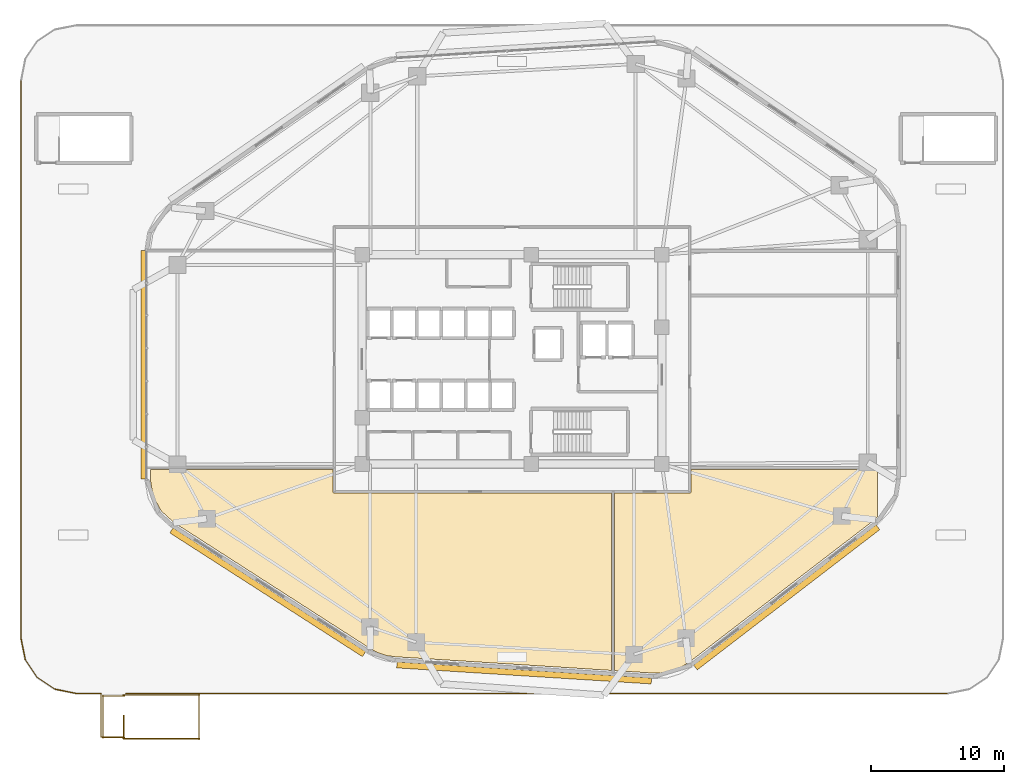
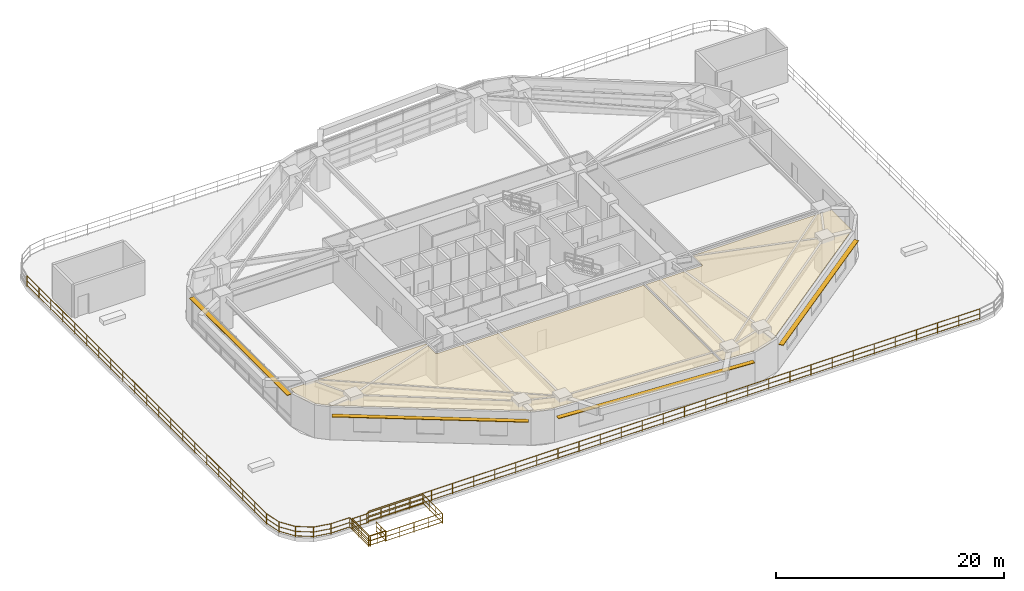
# One storey, part 18 of 20: 16 railings, 4 shading devices, 2 coverings.
"""IFC4 building model written with IfcOpenShell, lengths in metres."""

from ifc_helpers import new_model, si_unit, direction, frame, origin, origin_2d, place, context, subcontext, project, spatial, polyline, rectangle, outline, extrude, material, layer, layer_set, type_object, element, save


model = new_model("IFC4")

# Units and contexts
model_context = context("Model", 3, precision=1e-05, world=origin(), true_north=direction((0.0, 1.0)))
body_context = subcontext(model_context, "Body", "Model", "MODEL_VIEW")
ifc_project = project(units=[si_unit("LENGTHUNIT", "METRE"), si_unit("AREAUNIT", "SQUARE_METRE"), si_unit("VOLUMEUNIT", "CUBIC_METRE"), si_unit("PLANEANGLEUNIT", "RADIAN"), si_unit("MASSUNIT", "GRAM", prefix="KILO")], contexts=[model_context])

# Site, building, storey
site_placement = place(None, origin())
site = spatial("IfcSite", under=ifc_project, at=site_placement, CompositionType="ELEMENT")
building_placement = place(site_placement, origin())
building = spatial("IfcBuilding", under=site, at=building_placement, Name="Zulverin Broadcast Headquarters", CompositionType="ELEMENT")
storey_placement = place(building_placement, frame((0.0, 0.0, 25.0)))
storey = spatial("IfcBuildingStorey", under=building, at=storey_placement, Name="L05", CompositionType="ELEMENT", Elevation=25.0)

# Coverings
ifc_material_1 = material(Name="Perforated pale-metal acoustic baffle ceiling", Category="aluminium")
ifc_layer_1 = layer(ifc_material_1, 0.0400390625, Name="Perforated pale-metal acoustic baffle ceiling", Category="aluminium")
ifc_layer_set_1 = layer_set([ifc_layer_1], Name="Perforated pale-metal acoustic baffle ceiling")
covering_type = type_object("IfcCoveringType", Name="COV-CEIL-ACOU", PredefinedType="CEILING", material=ifc_layer_set_1)
covering_1_placement = place(storey_placement, frame((0.0, 0.0, 3.344970703125)))
element("IfcCovering", 1, at=covering_1_placement, inside=storey, type_object=covering_type, Name="L05 Acoustic Baffle Ceiling 02", PredefinedType="CEILING", context=body_context, shape_type="SweptSolid", body=[
    extrude(outline(polyline([(23.535888671875, 15.22802734375), (23.531982421875, 15.239990234375), (23.531982421875, 15.251953125), (23.531982421875, 16.89990234375), (9.800048828125, 16.89990234375), (9.800048828125, 16.179931640625), (10.01611328125, 14.904052734375), (10.615966796875, 13.800048828125), (11.572021484375, 12.927978515625), (26.347900390625, 3.43603515625), (26.931884765625, 3.1279296875), (27.5439453125, 2.924072265625), (28.19189453125, 2.83203125), (44.47998046875, 1.803955078125), (44.47998046875, 15.132080078125), (23.652099609375, 15.132080078125), (23.639892578125, 15.132080078125), (23.6279296875, 15.135986328125), (23.615966796875, 15.135986328125), (23.60791015625, 15.139892578125), (23.595947265625, 15.14794921875), (23.583984375, 15.152099609375), (23.575927734375, 15.159912109375), (23.568115234375, 15.16796875), (23.56005859375, 15.176025390625), (23.552001953125, 15.18408203125), (23.548095703125, 15.196044921875), (23.5400390625, 15.2080078125), (23.535888671875, 15.216064453125), (23.535888671875, 15.22802734375)])), origin(), (0.0, 0.0, 1.0), 0.0400390625),
])
covering_2_placement = place(storey_placement, frame((0.0, 0.0, 3.344970703125)))
element("IfcCovering", 2, at=covering_2_placement, inside=storey, type_object=covering_type, Name="L05 Acoustic Baffle Ceiling 03", PredefinedType="CEILING", context=body_context, shape_type="SweptSolid", body=[
    extrude(outline(polyline([(49.488037109375, 1.919921875), (50.2880859375, 2.39208984375), (64.2919921875, 13.152099609375), (64.5, 13.3720703125), (64.5, 16.89990234375), (50.471923828125, 16.89990234375), (50.471923828125, 15.251953125), (50.471923828125, 15.239990234375), (50.468017578125, 15.22802734375), (50.468017578125, 15.216064453125), (50.464111328125, 15.2080078125), (50.4560546875, 15.196044921875), (50.451904296875, 15.18408203125), (50.444091796875, 15.176025390625), (50.43603515625, 15.16796875), (50.427978515625, 15.159912109375), (50.419921875, 15.152099609375), (50.407958984375, 15.14794921875), (50.39599609375, 15.139892578125), (50.387939453125, 15.135986328125), (50.3759765625, 15.135986328125), (50.364013671875, 15.132080078125), (50.35205078125, 15.132080078125), (44.719970703125, 15.132080078125), (44.719970703125, 1.7880859375), (47.69189453125, 1.60009765625), (48.6240234375, 1.652099609375), (49.488037109375, 1.919921875)])), origin(), (0.0, 0.0, 1.0), 0.0400390625),
])

# Railings
ifc_material_2 = material(Name="Brushed stainless steel & laminated glass balustrade", Category="steel")
railing_type_1 = type_object("IfcRailingType", Name="RL-GUARD-1150", PredefinedType="GUARDRAIL", material=ifc_material_2)
railing_1_placement = place(storey_placement, frame((7.9599609375, 0.080078125, 0.0)))
element("IfcRailing", 3, at=railing_1_placement, inside=storey, type_object=railing_type_1, Name="L05 Raised Public Garden Perimeter Balustrade Segment 01", PredefinedType="GUARDRAIL", context=body_context, shape_type="SweptSolid", body=[
    extrude(rectangle(XDim=0.048095703125, YDim=0.048095703125, at=origin_2d()), frame((0.0, 0.0, 1.1259765625), z_axis=(1.0, 0.0, 0.0), x_axis=(0.0, 1.0, 0.0)), (0.0, 0.0, 1.0), 61.817138671875),
    extrude(rectangle(XDim=0.0419921875, YDim=0.0419921875, at=origin_2d()), frame((0.0, 0.0, 0.597900390625), z_axis=(1.0, 0.0, 0.0), x_axis=(0.0, 1.0, 0.0)), (0.0, 0.0, 1.0), 61.817138671875),
    extrude(rectangle(XDim=0.0419921875, YDim=0.0419921875, at=origin_2d()), frame((0.0, 0.0, 0.1201171875), z_axis=(1.0, 0.0, 0.0), x_axis=(0.0, 1.0, 0.0)), (0.0, 0.0, 1.0), 61.817138671875),
    extrude(rectangle(XDim=0.0419921875, YDim=0.0419921875, at=origin_2d()), origin(), (0.0, 0.0, 1.0), 1.101806640625),
    extrude(rectangle(XDim=0.0419921875, YDim=0.0419921875, at=origin_2d()), frame((2.131591796875, 0.0, 0.0)), (0.0, 0.0, 1.0), 1.101806640625),
    extrude(rectangle(XDim=0.0419921875, YDim=0.0419921875, at=origin_2d()), frame((4.26318359375, 0.0, 0.0)), (0.0, 0.0, 1.0), 1.101806640625),
    extrude(rectangle(XDim=0.0419921875, YDim=0.0419921875, at=origin_2d()), frame((6.394775390625, 0.0, 0.0)), (0.0, 0.0, 1.0), 1.101806640625),
    extrude(rectangle(XDim=0.0419921875, YDim=0.0419921875, at=origin_2d()), frame((8.526611328125, 0.0, 0.0)), (0.0, 0.0, 1.0), 1.101806640625),
    extrude(rectangle(XDim=0.0419921875, YDim=0.0419921875, at=origin_2d()), frame((10.658203125, 0.0, 0.0)), (0.0, 0.0, 1.0), 1.101806640625),
    extrude(rectangle(XDim=0.0419921875, YDim=0.0419921875, at=origin_2d()), frame((12.789794921875, 0.0, 0.0)), (0.0, 0.0, 1.0), 1.101806640625),
    extrude(rectangle(XDim=0.0419921875, YDim=0.0419921875, at=origin_2d()), frame((14.92138671875, 0.0, 0.0)), (0.0, 0.0, 1.0), 1.101806640625),
    extrude(rectangle(XDim=0.0419921875, YDim=0.0419921875, at=origin_2d()), frame((17.052978515625, 0.0, 0.0)), (0.0, 0.0, 1.0), 1.101806640625),
    extrude(rectangle(XDim=0.0419921875, YDim=0.0419921875, at=origin_2d()), frame((19.1845703125, 0.0, 0.0)), (0.0, 0.0, 1.0), 1.101806640625),
    extrude(rectangle(XDim=0.0419921875, YDim=0.0419921875, at=origin_2d()), frame((21.316162109375, 0.0, 0.0)), (0.0, 0.0, 1.0), 1.101806640625),
    extrude(rectangle(XDim=0.0419921875, YDim=0.0419921875, at=origin_2d()), frame((23.447998046875, 0.0, 0.0)), (0.0, 0.0, 1.0), 1.101806640625),
    extrude(rectangle(XDim=0.0419921875, YDim=0.0419921875, at=origin_2d()), frame((25.57958984375, 0.0, 0.0)), (0.0, 0.0, 1.0), 1.101806640625),
    extrude(rectangle(XDim=0.0419921875, YDim=0.0419921875, at=origin_2d()), frame((27.711181640625, 0.0, 0.0)), (0.0, 0.0, 1.0), 1.101806640625),
    extrude(rectangle(XDim=0.0419921875, YDim=0.0419921875, at=origin_2d()), frame((29.8427734375, 0.0, 0.0)), (0.0, 0.0, 1.0), 1.101806640625),
    extrude(rectangle(XDim=0.0419921875, YDim=0.0419921875, at=origin_2d()), frame((31.974365234375, 0.0, 0.0)), (0.0, 0.0, 1.0), 1.101806640625),
    extrude(rectangle(XDim=0.0419921875, YDim=0.0419921875, at=origin_2d()), frame((34.10595703125, 0.0, 0.0)), (0.0, 0.0, 1.0), 1.101806640625),
    extrude(rectangle(XDim=0.0419921875, YDim=0.0419921875, at=origin_2d()), frame((36.237548828125, 0.0, 0.0)), (0.0, 0.0, 1.0), 1.101806640625),
    extrude(rectangle(XDim=0.0419921875, YDim=0.0419921875, at=origin_2d()), frame((38.369140625, 0.0, 0.0)), (0.0, 0.0, 1.0), 1.101806640625),
    extrude(rectangle(XDim=0.0419921875, YDim=0.0419921875, at=origin_2d()), frame((40.5009765625, 0.0, 0.0)), (0.0, 0.0, 1.0), 1.101806640625),
    extrude(rectangle(XDim=0.0419921875, YDim=0.0419921875, at=origin_2d()), frame((42.632568359375, 0.0, 0.0)), (0.0, 0.0, 1.0), 1.101806640625),
    extrude(rectangle(XDim=0.0419921875, YDim=0.0419921875, at=origin_2d()), frame((44.76416015625, 0.0, 0.0)), (0.0, 0.0, 1.0), 1.101806640625),
    extrude(rectangle(XDim=0.0419921875, YDim=0.0419921875, at=origin_2d()), frame((46.895751953125, 0.0, 0.0)), (0.0, 0.0, 1.0), 1.101806640625),
    extrude(rectangle(XDim=0.0419921875, YDim=0.0419921875, at=origin_2d()), frame((49.02734375, 0.0, 0.0)), (0.0, 0.0, 1.0), 1.101806640625),
    extrude(rectangle(XDim=0.0419921875, YDim=0.0419921875, at=origin_2d()), frame((51.158935546875, 0.0, 0.0)), (0.0, 0.0, 1.0), 1.101806640625),
    extrude(rectangle(XDim=0.0419921875, YDim=0.0419921875, at=origin_2d()), frame((53.29052734375, 0.0, 0.0)), (0.0, 0.0, 1.0), 1.101806640625),
    extrude(rectangle(XDim=0.0419921875, YDim=0.0419921875, at=origin_2d()), frame((55.42236328125, 0.0, 0.0)), (0.0, 0.0, 1.0), 1.101806640625),
    extrude(rectangle(XDim=0.0419921875, YDim=0.0419921875, at=origin_2d()), frame((57.553955078125, 0.0, 0.0)), (0.0, 0.0, 1.0), 1.101806640625),
    extrude(rectangle(XDim=0.0419921875, YDim=0.0419921875, at=origin_2d()), frame((59.685546875, 0.0, 0.0)), (0.0, 0.0, 1.0), 1.101806640625),
    extrude(rectangle(XDim=0.0419921875, YDim=0.0419921875, at=origin_2d()), frame((61.817138671875, 0.0, 0.0)), (0.0, 0.0, 1.0), 1.101806640625),
])
railing_2_placement = place(storey_placement, frame((0.080078125, 46.177001953125, 0.0)))
element("IfcRailing", 4, at=railing_2_placement, inside=storey, type_object=railing_type_1, Name="L05 Raised Public Garden Perimeter Balustrade Segment 16", PredefinedType="GUARDRAIL", context=body_context, shape_type="SweptSolid", body=[
    extrude(rectangle(XDim=0.048095703125, YDim=0.048095703125, at=origin_2d()), frame((0.0, 0.0, 1.1259765625), z_axis=(0.0, -1.0, 0.0), x_axis=(1.0, 0.0, 0.0)), (0.0, 0.0, 1.0), 41.9541015625),
    extrude(rectangle(XDim=0.0419921875, YDim=0.0419921875, at=origin_2d()), frame((0.0, 0.0, 0.597900390625), z_axis=(0.0, -1.0, 0.0), x_axis=(1.0, 0.0, 0.0)), (0.0, 0.0, 1.0), 41.9541015625),
    extrude(rectangle(XDim=0.0419921875, YDim=0.0419921875, at=origin_2d()), frame((0.0, 0.0, 0.1201171875), z_axis=(0.0, -1.0, 0.0), x_axis=(1.0, 0.0, 0.0)), (0.0, 0.0, 1.0), 41.9541015625),
    extrude(rectangle(XDim=0.0419921875, YDim=0.0419921875, at=origin_2d()), origin(), (0.0, 0.0, 1.0), 1.101806640625),
    extrude(rectangle(XDim=0.0419921875, YDim=0.0419921875, at=origin_2d()), frame((0.0, -2.09765625, 0.0)), (0.0, 0.0, 1.0), 1.101806640625),
    extrude(rectangle(XDim=0.0419921875, YDim=0.0419921875, at=origin_2d()), frame((0.0, -4.1953125, 0.0)), (0.0, 0.0, 1.0), 1.101806640625),
    extrude(rectangle(XDim=0.0419921875, YDim=0.0419921875, at=origin_2d()), frame((0.0, -6.293212890625, 0.0)), (0.0, 0.0, 1.0), 1.101806640625),
    extrude(rectangle(XDim=0.0419921875, YDim=0.0419921875, at=origin_2d()), frame((0.0, -8.390869140625, 0.0)), (0.0, 0.0, 1.0), 1.101806640625),
    extrude(rectangle(XDim=0.0419921875, YDim=0.0419921875, at=origin_2d()), frame((0.0, -10.488525390625, 0.0)), (0.0, 0.0, 1.0), 1.101806640625),
    extrude(rectangle(XDim=0.0419921875, YDim=0.0419921875, at=origin_2d()), frame((0.0, -12.586181640625, 0.0)), (0.0, 0.0, 1.0), 1.101806640625),
    extrude(rectangle(XDim=0.0419921875, YDim=0.0419921875, at=origin_2d()), frame((0.0, -14.683837890625, 0.0)), (0.0, 0.0, 1.0), 1.101806640625),
    extrude(rectangle(XDim=0.0419921875, YDim=0.0419921875, at=origin_2d()), frame((0.0, -16.78173828125, 0.0)), (0.0, 0.0, 1.0), 1.101806640625),
    extrude(rectangle(XDim=0.0419921875, YDim=0.0419921875, at=origin_2d()), frame((0.0, -18.87939453125, 0.0)), (0.0, 0.0, 1.0), 1.101806640625),
    extrude(rectangle(XDim=0.0419921875, YDim=0.0419921875, at=origin_2d()), frame((0.0, -20.97705078125, 0.0)), (0.0, 0.0, 1.0), 1.101806640625),
    extrude(rectangle(XDim=0.0419921875, YDim=0.0419921875, at=origin_2d()), frame((0.0, -23.07470703125, 0.0)), (0.0, 0.0, 1.0), 1.101806640625),
    extrude(rectangle(XDim=0.0419921875, YDim=0.0419921875, at=origin_2d()), frame((0.0, -25.17236328125, 0.0)), (0.0, 0.0, 1.0), 1.101806640625),
    extrude(rectangle(XDim=0.0419921875, YDim=0.0419921875, at=origin_2d()), frame((0.0, -27.270263671875, 0.0)), (0.0, 0.0, 1.0), 1.101806640625),
    extrude(rectangle(XDim=0.0419921875, YDim=0.0419921875, at=origin_2d()), frame((0.0, -29.367919921875, 0.0)), (0.0, 0.0, 1.0), 1.101806640625),
    extrude(rectangle(XDim=0.0419921875, YDim=0.0419921875, at=origin_2d()), frame((0.0, -31.465576171875, 0.0)), (0.0, 0.0, 1.0), 1.101806640625),
    extrude(rectangle(XDim=0.0419921875, YDim=0.0419921875, at=origin_2d()), frame((0.0, -33.563232421875, 0.0)), (0.0, 0.0, 1.0), 1.101806640625),
    extrude(rectangle(XDim=0.0419921875, YDim=0.0419921875, at=origin_2d()), frame((0.0, -35.660888671875, 0.0)), (0.0, 0.0, 1.0), 1.101806640625),
    extrude(rectangle(XDim=0.0419921875, YDim=0.0419921875, at=origin_2d()), frame((0.0, -37.7587890625, 0.0)), (0.0, 0.0, 1.0), 1.101806640625),
    extrude(rectangle(XDim=0.0419921875, YDim=0.0419921875, at=origin_2d()), frame((0.0, -39.8564453125, 0.0)), (0.0, 0.0, 1.0), 1.101806640625),
    extrude(rectangle(XDim=0.0419921875, YDim=0.0419921875, at=origin_2d()), frame((0.0, -41.9541015625, 0.0)), (0.0, 0.0, 1.0), 1.101806640625),
])
railing_3_placement = place(storey_placement, frame((0.0830078125, 4.193115234375, 0.0)))
element("IfcRailing", 5, at=railing_3_placement, inside=storey, type_object=railing_type_1, Name="L05 Raised Public Garden Perimeter Balustrade Segment 17", PredefinedType="GUARDRAIL", context=body_context, shape_type="SweptSolid", body=[
    extrude(rectangle(XDim=0.048095703125, YDim=0.048095703125, at=origin_2d()), frame((0.0, 0.0, 1.1259765625), z_axis=(0.195019929046, -0.980799279809, 0.0), x_axis=(0.980799279809, 0.195019929046, 0.0)), (0.0, 0.0, 1.0), 1.5849609375),
    extrude(rectangle(XDim=0.0419921875, YDim=0.0419921875, at=origin_2d()), frame((0.0, 0.0, 0.597900390625), z_axis=(0.195019929046, -0.980799279809, 0.0), x_axis=(0.980799279809, 0.195019929046, 0.0)), (0.0, 0.0, 1.0), 1.5849609375),
    extrude(rectangle(XDim=0.0419921875, YDim=0.0419921875, at=origin_2d()), frame((0.0, 0.0, 0.1201171875), z_axis=(0.195019929046, -0.980799279809, 0.0), x_axis=(0.980799279809, 0.195019929046, 0.0)), (0.0, 0.0, 1.0), 1.5849609375),
    extrude(rectangle(XDim=0.0419921875, YDim=0.0419921875, at=origin_2d()), origin(), (0.0, 0.0, 1.0), 1.101806640625),
    extrude(rectangle(XDim=0.0419921875, YDim=0.0419921875, at=origin_2d()), frame((0.30908203125, -1.554443359375, 0.0)), (0.0, 0.0, 1.0), 1.101806640625),
])
railing_4_placement = place(storey_placement, frame((0.4033203125, 2.611328125, 0.0)))
element("IfcRailing", 6, at=railing_4_placement, inside=storey, type_object=railing_type_1, Name="L05 Raised Public Garden Perimeter Balustrade Segment 18", PredefinedType="GUARDRAIL", context=body_context, shape_type="SweptSolid", body=[
    extrude(rectangle(XDim=0.048095703125, YDim=0.048095703125, at=origin_2d()), frame((0.0, 0.0, 1.1259765625), z_axis=(0.555664498045, -0.831406618697, 0.0), x_axis=(0.831406618697, 0.555664498045, 0.0)), (0.0, 0.0, 1.0), 1.576904296875),
    extrude(rectangle(XDim=0.0419921875, YDim=0.0419921875, at=origin_2d()), frame((0.0, 0.0, 0.597900390625), z_axis=(0.555664498045, -0.831406618697, 0.0), x_axis=(0.831406618697, 0.555664498045, 0.0)), (0.0, 0.0, 1.0), 1.576904296875),
    extrude(rectangle(XDim=0.0419921875, YDim=0.0419921875, at=origin_2d()), frame((0.0, 0.0, 0.1201171875), z_axis=(0.555664498045, -0.831406618697, 0.0), x_axis=(0.831406618697, 0.555664498045, 0.0)), (0.0, 0.0, 1.0), 1.576904296875),
    extrude(rectangle(XDim=0.0419921875, YDim=0.0419921875, at=origin_2d()), origin(), (0.0, 0.0, 1.0), 1.101806640625),
    extrude(rectangle(XDim=0.0419921875, YDim=0.0419921875, at=origin_2d()), frame((0.876220703125, -1.31103515625, 0.0)), (0.0, 0.0, 1.0), 1.101806640625),
])
railing_5_placement = place(storey_placement, frame((1.30029296875, 1.279541015625, 0.0)))
element("IfcRailing", 7, at=railing_5_placement, inside=storey, type_object=railing_type_1, Name="L05 Raised Public Garden Perimeter Balustrade Segment 19", PredefinedType="GUARDRAIL", context=body_context, shape_type="SweptSolid", body=[
    extrude(rectangle(XDim=0.048095703125, YDim=0.048095703125, at=origin_2d()), frame((0.0, 0.0, 1.1259765625), z_axis=(0.831406618697, -0.555664498045, 0.0), x_axis=(0.555664498045, 0.831406618697, 0.0)), (0.0, 0.0, 1.0), 1.576904296875),
    extrude(rectangle(XDim=0.0419921875, YDim=0.0419921875, at=origin_2d()), frame((0.0, 0.0, 0.597900390625), z_axis=(0.831406618697, -0.555664498045, 0.0), x_axis=(0.555664498045, 0.831406618697, 0.0)), (0.0, 0.0, 1.0), 1.576904296875),
    extrude(rectangle(XDim=0.0419921875, YDim=0.0419921875, at=origin_2d()), frame((0.0, 0.0, 0.1201171875), z_axis=(0.831406618697, -0.555664498045, 0.0), x_axis=(0.555664498045, 0.831406618697, 0.0)), (0.0, 0.0, 1.0), 1.576904296875),
    extrude(rectangle(XDim=0.0419921875, YDim=0.0419921875, at=origin_2d()), origin(), (0.0, 0.0, 1.0), 1.101806640625),
    extrude(rectangle(XDim=0.0419921875, YDim=0.0419921875, at=origin_2d()), frame((1.31103515625, -0.876220703125, 0.0)), (0.0, 0.0, 1.0), 1.101806640625),
])
railing_6_placement = place(storey_placement, frame((2.638671875, 0.39208984375, 0.0)))
element("IfcRailing", 8, at=railing_6_placement, inside=storey, type_object=railing_type_1, Name="L05 Raised Public Garden Perimeter Balustrade Segment 20", PredefinedType="GUARDRAIL", context=body_context, shape_type="SweptSolid", body=[
    extrude(rectangle(XDim=0.048095703125, YDim=0.048095703125, at=origin_2d()), frame((0.0, 0.0, 1.1259765625), z_axis=(0.980799279809, -0.195019929046, 0.0), x_axis=(0.195019929046, 0.980799279809, 0.0)), (0.0, 0.0, 1.0), 1.5849609375),
    extrude(rectangle(XDim=0.0419921875, YDim=0.0419921875, at=origin_2d()), frame((0.0, 0.0, 0.597900390625), z_axis=(0.980799279809, -0.195019929046, 0.0), x_axis=(0.195019929046, 0.980799279809, 0.0)), (0.0, 0.0, 1.0), 1.5849609375),
    extrude(rectangle(XDim=0.0419921875, YDim=0.0419921875, at=origin_2d()), frame((0.0, 0.0, 0.1201171875), z_axis=(0.980799279809, -0.195019929046, 0.0), x_axis=(0.195019929046, 0.980799279809, 0.0)), (0.0, 0.0, 1.0), 1.5849609375),
    extrude(rectangle(XDim=0.0419921875, YDim=0.0419921875, at=origin_2d()), origin(), (0.0, 0.0, 1.0), 1.101806640625),
    extrude(rectangle(XDim=0.0419921875, YDim=0.0419921875, at=origin_2d()), frame((1.554443359375, -0.30908203125, 0.0)), (0.0, 0.0, 1.0), 1.101806640625),
])
railing_7_placement = place(storey_placement, frame((4.222900390625, 0.080078125, 0.0)))
element("IfcRailing", 9, at=railing_7_placement, inside=storey, type_object=railing_type_1, Name="L05 Raised Public Garden Perimeter Balustrade Segment 21", PredefinedType="GUARDRAIL", context=body_context, shape_type="SweptSolid", body=[
    extrude(rectangle(XDim=0.048095703125, YDim=0.048095703125, at=origin_2d()), frame((0.0, 0.0, 1.1259765625), z_axis=(1.0, 0.0, 0.0), x_axis=(0.0, 1.0, 0.0)), (0.0, 0.0, 1.0), 1.857177734375),
    extrude(rectangle(XDim=0.0419921875, YDim=0.0419921875, at=origin_2d()), frame((0.0, 0.0, 0.597900390625), z_axis=(1.0, 0.0, 0.0), x_axis=(0.0, 1.0, 0.0)), (0.0, 0.0, 1.0), 1.857177734375),
    extrude(rectangle(XDim=0.0419921875, YDim=0.0419921875, at=origin_2d()), frame((0.0, 0.0, 0.1201171875), z_axis=(1.0, 0.0, 0.0), x_axis=(0.0, 1.0, 0.0)), (0.0, 0.0, 1.0), 1.857177734375),
    extrude(rectangle(XDim=0.0419921875, YDim=0.0419921875, at=origin_2d()), origin(), (0.0, 0.0, 1.0), 1.101806640625),
    extrude(rectangle(XDim=0.0419921875, YDim=0.0419921875, at=origin_2d()), frame((1.857177734375, 0.0, 0.0)), (0.0, 0.0, 1.0), 1.101806640625),
])
railing_8_placement = place(storey_placement, frame((6.080078125, 0.080078125, 0.0)))
element("IfcRailing", 10, at=railing_8_placement, inside=storey, type_object=railing_type_1, Name="L05 Raised Public Garden Stair Landing Balustrade Segment 01", PredefinedType="GUARDRAIL", context=body_context, shape_type="SweptSolid", body=[
    extrude(rectangle(XDim=0.048095703125, YDim=0.048095703125, at=origin_2d()), frame((0.0, 0.0, 1.1259765625), z_axis=(0.0, -1.0, 0.0), x_axis=(1.0, 0.0, 0.0)), (0.0, 0.0, 1.0), 3.26513671875),
    extrude(rectangle(XDim=0.0419921875, YDim=0.0419921875, at=origin_2d()), frame((0.0, 0.0, 0.597900390625), z_axis=(0.0, -1.0, 0.0), x_axis=(1.0, 0.0, 0.0)), (0.0, 0.0, 1.0), 3.26513671875),
    extrude(rectangle(XDim=0.0419921875, YDim=0.0419921875, at=origin_2d()), frame((0.0, 0.0, 0.1201171875), z_axis=(0.0, -1.0, 0.0), x_axis=(1.0, 0.0, 0.0)), (0.0, 0.0, 1.0), 3.26513671875),
    extrude(rectangle(XDim=0.0419921875, YDim=0.0419921875, at=origin_2d()), origin(), (0.0, 0.0, 1.0), 1.101806640625),
    extrude(rectangle(XDim=0.0419921875, YDim=0.0419921875, at=origin_2d()), frame((0.0, -1.632568359375, 0.0)), (0.0, 0.0, 1.0), 1.101806640625),
    extrude(rectangle(XDim=0.0419921875, YDim=0.0419921875, at=origin_2d()), frame((0.0, -3.26513671875, 0.0)), (0.0, 0.0, 1.0), 1.101806640625),
])
railing_9_placement = place(storey_placement, frame((6.094970703125, -3.199951171875, 0.0)))
element("IfcRailing", 11, at=railing_9_placement, inside=storey, type_object=railing_type_1, Name="L05 Raised Public Garden Stair Landing Balustrade Segment 02", PredefinedType="GUARDRAIL", context=body_context, shape_type="SweptSolid", body=[
    extrude(rectangle(XDim=0.048095703125, YDim=0.048095703125, at=origin_2d()), frame((0.0, 0.0, 1.1259765625), z_axis=(1.0, 0.0, 0.0), x_axis=(0.0, 1.0, 0.0)), (0.0, 0.0, 1.0), 1.72509765625),
    extrude(rectangle(XDim=0.0419921875, YDim=0.0419921875, at=origin_2d()), frame((0.0, 0.0, 0.597900390625), z_axis=(1.0, 0.0, 0.0), x_axis=(0.0, 1.0, 0.0)), (0.0, 0.0, 1.0), 1.72509765625),
    extrude(rectangle(XDim=0.0419921875, YDim=0.0419921875, at=origin_2d()), frame((0.0, 0.0, 0.1201171875), z_axis=(1.0, 0.0, 0.0), x_axis=(0.0, 1.0, 0.0)), (0.0, 0.0, 1.0), 1.72509765625),
    extrude(rectangle(XDim=0.0419921875, YDim=0.0419921875, at=origin_2d()), origin(), (0.0, 0.0, 1.0), 1.101806640625),
    extrude(rectangle(XDim=0.0419921875, YDim=0.0419921875, at=origin_2d()), frame((1.72509765625, 0.0, 0.0)), (0.0, 0.0, 1.0), 1.101806640625),
])
ifc_material_3 = material(Name="Painted galvanized steel tubular guardrail S355JR", Category="steel")
railing_type_2 = type_object("IfcRailingType", Name="RL-ST-GUARD", PredefinedType="GUARDRAIL", material=ifc_material_3)
railing_10_placement = place(storey_placement, frame((7.800048828125, -3.280029296875, 0.0)))
element("IfcRailing", 12, at=railing_10_placement, inside=storey, type_object=railing_type_2, Name="L05 ST-5 top well guard 1", PredefinedType="GUARDRAIL", context=body_context, shape_type="SweptSolid", body=[
    extrude(rectangle(XDim=0.048095703125, YDim=0.048095703125, at=origin_2d()), frame((0.0, 0.0, 1.076171875), z_axis=(0.0, 1.0, 0.0), x_axis=(-1.0, 0.0, 0.0)), (0.0, 0.0, 1.0), 1.699951171875),
    extrude(rectangle(XDim=0.0419921875, YDim=0.0419921875, at=origin_2d()), frame((0.0, 0.0, 0.572021484375), z_axis=(0.0, 1.0, 0.0), x_axis=(-1.0, 0.0, 0.0)), (0.0, 0.0, 1.0), 1.699951171875),
    extrude(rectangle(XDim=0.0419921875, YDim=0.0419921875, at=origin_2d()), frame((0.0, 0.0, 0.1201171875), z_axis=(0.0, 1.0, 0.0), x_axis=(-1.0, 0.0, 0.0)), (0.0, 0.0, 1.0), 1.699951171875),
    extrude(rectangle(XDim=0.0419921875, YDim=0.0419921875, at=origin_2d()), origin(), (0.0, 0.0, 1.0), 1.052001953125),
    extrude(rectangle(XDim=0.0419921875, YDim=0.0419921875, at=origin_2d()), frame((0.0, 0.85009765625, 0.0)), (0.0, 0.0, 1.0), 1.052001953125),
    extrude(rectangle(XDim=0.0419921875, YDim=0.0419921875, at=origin_2d()), frame((0.0, 1.699951171875, 0.0)), (0.0, 0.0, 1.0), 1.052001953125),
])
for number, where, name in (
    (13, (7.75, -3.330078125, 0.0), "L05 ST-5 top well guard 2"),
    (14, (7.75, -0.030029296875, 0.0), "L05 ST-5 top well guard 3"),
):
    element("IfcRailing", number, at=place(storey_placement, frame(where)), inside=storey, type_object=railing_type_2, Name=name, PredefinedType="GUARDRAIL", context=body_context, shape_type="SweptSolid", body=[
        extrude(rectangle(XDim=0.048095703125, YDim=0.048095703125, at=origin_2d()), frame((0.0, 0.0, 1.076171875), z_axis=(1.0, 0.0, 0.0), x_axis=(0.0, 1.0, 0.0)), (0.0, 0.0, 1.0), 5.75),
        extrude(rectangle(XDim=0.0419921875, YDim=0.0419921875, at=origin_2d()), frame((0.0, 0.0, 0.572021484375), z_axis=(1.0, 0.0, 0.0), x_axis=(0.0, 1.0, 0.0)), (0.0, 0.0, 1.0), 5.75),
        extrude(rectangle(XDim=0.0419921875, YDim=0.0419921875, at=origin_2d()), frame((0.0, 0.0, 0.1201171875), z_axis=(1.0, 0.0, 0.0), x_axis=(0.0, 1.0, 0.0)), (0.0, 0.0, 1.0), 5.75),
        extrude(rectangle(XDim=0.0419921875, YDim=0.0419921875, at=origin_2d()), origin(), (0.0, 0.0, 1.0), 1.052001953125),
        extrude(rectangle(XDim=0.0419921875, YDim=0.0419921875, at=origin_2d()), frame((1.4375, 0.0, 0.0)), (0.0, 0.0, 1.0), 1.052001953125),
        extrude(rectangle(XDim=0.0419921875, YDim=0.0419921875, at=origin_2d()), frame((2.875, 0.0, 0.0)), (0.0, 0.0, 1.0), 1.052001953125),
        extrude(rectangle(XDim=0.0419921875, YDim=0.0419921875, at=origin_2d()), frame((4.3125, 0.0, 0.0)), (0.0, 0.0, 1.0), 1.052001953125),
        extrude(rectangle(XDim=0.0419921875, YDim=0.0419921875, at=origin_2d()), frame((5.75, 0.0, 0.0)), (0.0, 0.0, 1.0), 1.052001953125),
    ])
railing_11_placement = place(storey_placement, frame((13.449951171875, -3.3798828125, 0.0)))
element("IfcRailing", 15, at=railing_11_placement, inside=storey, type_object=railing_type_2, Name="L05 ST-5 top well guard 4", PredefinedType="GUARDRAIL", context=body_context, shape_type="SweptSolid", body=[
    extrude(rectangle(XDim=0.048095703125, YDim=0.048095703125, at=origin_2d()), frame((0.0, 0.0, 1.076171875), z_axis=(0.0, 1.0, 0.0), x_axis=(-1.0, 0.0, 0.0)), (0.0, 0.0, 1.0), 3.39990234375),
    extrude(rectangle(XDim=0.0419921875, YDim=0.0419921875, at=origin_2d()), frame((0.0, 0.0, 0.572021484375), z_axis=(0.0, 1.0, 0.0), x_axis=(-1.0, 0.0, 0.0)), (0.0, 0.0, 1.0), 3.39990234375),
    extrude(rectangle(XDim=0.0419921875, YDim=0.0419921875, at=origin_2d()), frame((0.0, 0.0, 0.1201171875), z_axis=(0.0, 1.0, 0.0), x_axis=(-1.0, 0.0, 0.0)), (0.0, 0.0, 1.0), 3.39990234375),
    extrude(rectangle(XDim=0.0419921875, YDim=0.0419921875, at=origin_2d()), origin(), (0.0, 0.0, 1.0), 1.052001953125),
    extrude(rectangle(XDim=0.0419921875, YDim=0.0419921875, at=origin_2d()), frame((0.0, 1.13330078125, 0.0)), (0.0, 0.0, 1.0), 1.052001953125),
    extrude(rectangle(XDim=0.0419921875, YDim=0.0419921875, at=origin_2d()), frame((0.0, 2.2666015625, 0.0)), (0.0, 0.0, 1.0), 1.052001953125),
    extrude(rectangle(XDim=0.0419921875, YDim=0.0419921875, at=origin_2d()), frame((0.0, 3.39990234375, 0.0)), (0.0, 0.0, 1.0), 1.052001953125),
])
for number, where, name in (
    (16, (6.199951171875, -3.22998046875, 0.0), "L05 ST-5 top well guard 5"),
    (17, (6.199951171875, -0.1298828125, 0.0), "L05 ST-5 top well guard 6"),
):
    element("IfcRailing", number, at=place(storey_placement, frame(where)), inside=storey, type_object=railing_type_2, Name=name, PredefinedType="GUARDRAIL", context=body_context, shape_type="SweptSolid", body=[
        extrude(rectangle(XDim=0.048095703125, YDim=0.048095703125, at=origin_2d()), frame((0.0, 0.0, 1.076171875), z_axis=(1.0, 0.0, 0.0), x_axis=(0.0, 1.0, 0.0)), (0.0, 0.0, 1.0), 1.650146484375),
        extrude(rectangle(XDim=0.0419921875, YDim=0.0419921875, at=origin_2d()), frame((0.0, 0.0, 0.572021484375), z_axis=(1.0, 0.0, 0.0), x_axis=(0.0, 1.0, 0.0)), (0.0, 0.0, 1.0), 1.650146484375),
        extrude(rectangle(XDim=0.0419921875, YDim=0.0419921875, at=origin_2d()), frame((0.0, 0.0, 0.1201171875), z_axis=(1.0, 0.0, 0.0), x_axis=(0.0, 1.0, 0.0)), (0.0, 0.0, 1.0), 1.650146484375),
        extrude(rectangle(XDim=0.0419921875, YDim=0.0419921875, at=origin_2d()), origin(), (0.0, 0.0, 1.0), 1.052001953125),
        extrude(rectangle(XDim=0.0419921875, YDim=0.0419921875, at=origin_2d()), frame((0.8251953125, 0.0, 0.0)), (0.0, 0.0, 1.0), 1.052001953125),
        extrude(rectangle(XDim=0.0419921875, YDim=0.0419921875, at=origin_2d()), frame((1.650146484375, 0.0, 0.0)), (0.0, 0.0, 1.0), 1.052001953125),
    ])
railing_12_placement = place(storey_placement, frame((6.25, -3.280029296875, 0.0)))
element("IfcRailing", 18, at=railing_12_placement, inside=storey, type_object=railing_type_2, Name="L05 ST-5 top well guard 7", PredefinedType="GUARDRAIL", context=body_context, shape_type="SweptSolid", body=[
    extrude(rectangle(XDim=0.048095703125, YDim=0.048095703125, at=origin_2d()), frame((0.0, 0.0, 1.076171875), z_axis=(0.0, 1.0, 0.0), x_axis=(-1.0, 0.0, 0.0)), (0.0, 0.0, 1.0), 3.199951171875),
    extrude(rectangle(XDim=0.0419921875, YDim=0.0419921875, at=origin_2d()), frame((0.0, 0.0, 0.572021484375), z_axis=(0.0, 1.0, 0.0), x_axis=(-1.0, 0.0, 0.0)), (0.0, 0.0, 1.0), 3.199951171875),
    extrude(rectangle(XDim=0.0419921875, YDim=0.0419921875, at=origin_2d()), frame((0.0, 0.0, 0.1201171875), z_axis=(0.0, 1.0, 0.0), x_axis=(-1.0, 0.0, 0.0)), (0.0, 0.0, 1.0), 3.199951171875),
    extrude(rectangle(XDim=0.0419921875, YDim=0.0419921875, at=origin_2d()), origin(), (0.0, 0.0, 1.0), 1.052001953125),
    extrude(rectangle(XDim=0.0419921875, YDim=0.0419921875, at=origin_2d()), frame((0.0, 1.60009765625, 0.0)), (0.0, 0.0, 1.0), 1.052001953125),
    extrude(rectangle(XDim=0.0419921875, YDim=0.0419921875, at=origin_2d()), frame((0.0, 3.199951171875, 0.0)), (0.0, 0.0, 1.0), 1.052001953125),
])

# Shading devices
ifc_material_4 = material(Name="Anodized pale-metal aluminium sunshade", Category="aluminium")
ifc_layer_2 = layer(ifc_material_4, 0.06005859375, Name="Anodized pale-metal aluminium sunshade", Category="aluminium")
ifc_layer_set_2 = layer_set([ifc_layer_2], Name="Anodized pale-metal aluminium sunshade")
shading_device_type = type_object("IfcShadingDeviceType", Name="SS-01_PALE_METAL_ALUMINIUM_SUNSHADE", PredefinedType="USERDEFINED", material=ifc_layer_set_2)
shading_device_1_placement = place(storey_placement, frame((37.908935546875, 1.61572265625, 2.7099609375), z_axis=(0.0, 0.0, 1.0), x_axis=(0.998017182581, -0.062942062821, 0.0)))
element("IfcShadingDevice", 19, at=shading_device_1_placement, inside=storey, type_object=shading_device_type, Name="L05 Horizontal Pale-Metal Sunshade Band 1", ObjectType="SUNSHADE", PredefinedType="USERDEFINED", context=body_context, shape_type="SweptSolid", body=[
    extrude(rectangle(XDim=19.177001953125, YDim=0.449951171875, at=origin_2d()), origin(), (0.0, 0.0, 1.0), 0.06005859375),
])
shading_device_2_placement = place(storey_placement, frame((57.658447265625, 7.29833984375, 2.7099609375), z_axis=(0.0, 0.0, 1.0), x_axis=(0.792933468586, 0.609308226102, 0.0)))
element("IfcShadingDevice", 20, at=shading_device_2_placement, inside=storey, type_object=shading_device_type, Name="L05 Horizontal Pale-Metal Sunshade Band 2", ObjectType="SUNSHADE", PredefinedType="USERDEFINED", context=body_context, shape_type="SweptSolid", body=[
    extrude(rectangle(XDim=17.312744140625, YDim=0.449951171875, at=origin_2d()), origin(), (0.0, 0.0, 1.0), 0.06005859375),
])
shading_device_3_placement = place(storey_placement, frame((9.320068359375, 24.7939453125, 3.294921875), z_axis=(0.0, 0.0, 1.0), x_axis=(0.0, -1.0, 0.0)))
element("IfcShadingDevice", 21, at=shading_device_3_placement, inside=storey, type_object=shading_device_type, Name="L05 Pale-Metal Horizontal Sunshade Band CW-L05-E7", ObjectType="SUNSHADE", PredefinedType="USERDEFINED", context=body_context, shape_type="SweptSolid", body=[
    extrude(rectangle(XDim=17.160888671875, YDim=0.449951171875, at=origin_2d()), origin(), (0.0, 0.0, 1.0), 0.06005859375),
])
shading_device_4_placement = place(storey_placement, frame((18.6298828125, 7.681640625, 2.7099609375), z_axis=(0.0, 0.0, 1.0), x_axis=(0.841296678234, -0.540573676007, 0.0)))
element("IfcShadingDevice", 22, at=shading_device_4_placement, inside=storey, type_object=shading_device_type, Name="L05 Horizontal Pale-Metal Sunshade Band 8", ObjectType="SUNSHADE", PredefinedType="USERDEFINED", context=body_context, shape_type="SweptSolid", body=[
    extrude(rectangle(XDim=17.2119140625, YDim=0.449951171875, at=origin_2d()), origin(), (0.0, 0.0, 1.0), 0.06005859375),
])

save(model, "model.ifc")
